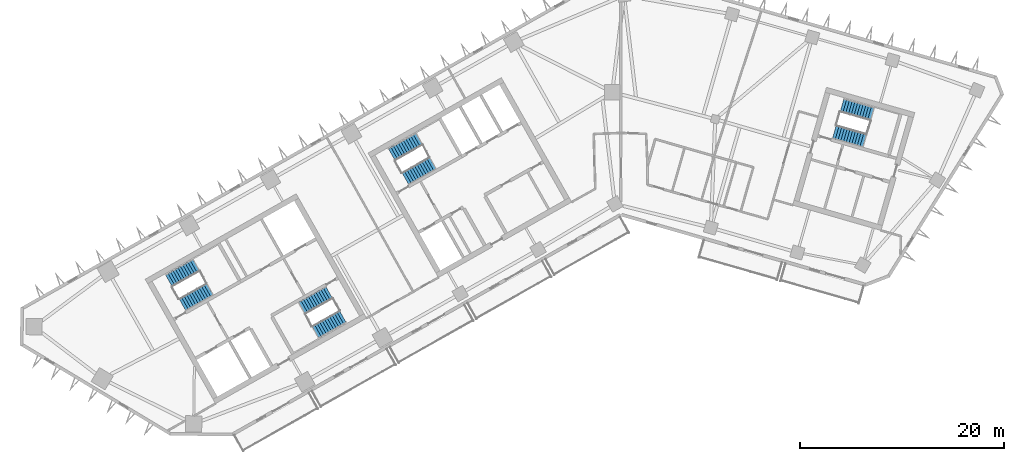
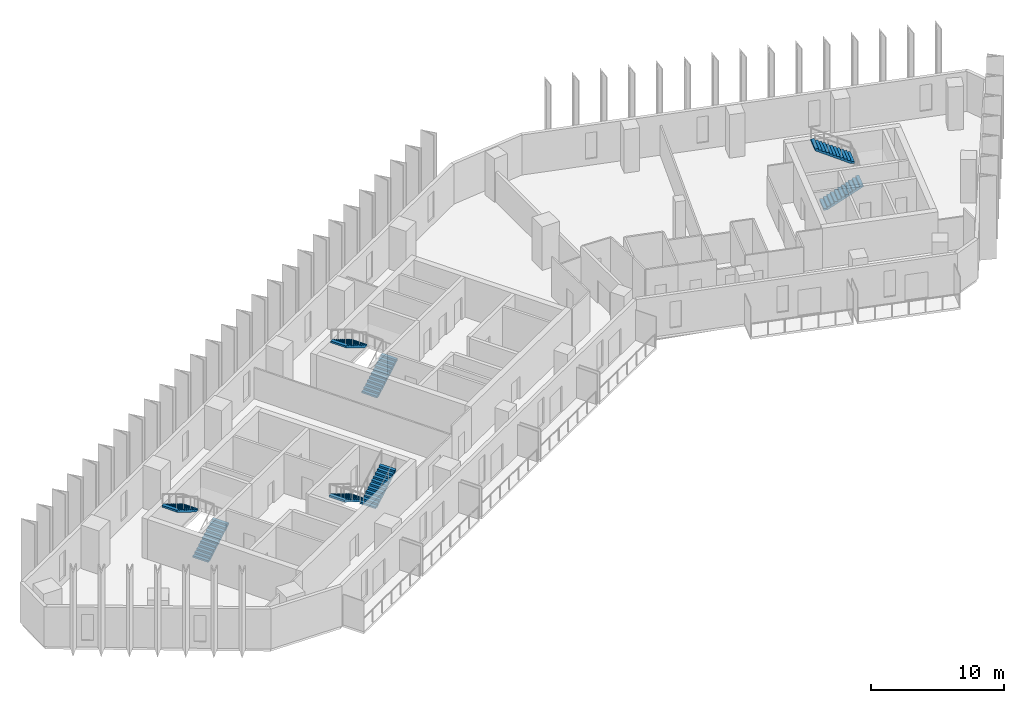
# One storey, part 7 of 10: 8 stair flights, 4 elements without a shape of their own.
"""IFC4 building model written with IfcOpenShell, lengths in metres."""

from ifc_helpers import new_model, si_unit, direction, frame, origin, place, context, subcontext, project, spatial, polyline, outline, extrude, material, type_object, element, aggregate, save


model = new_model("IFC4")

# Units and contexts
model_context = context("Model", 3, precision=1e-05, world=origin(), true_north=direction((0.0, 1.0)))
body_context = subcontext(model_context, "Body", "Model", "MODEL_VIEW")
ifc_project = project(units=[si_unit("LENGTHUNIT", "METRE"), si_unit("AREAUNIT", "SQUARE_METRE"), si_unit("VOLUMEUNIT", "CUBIC_METRE"), si_unit("PLANEANGLEUNIT", "RADIAN"), si_unit("MASSUNIT", "GRAM", prefix="KILO")], contexts=[model_context])

# Site, building, storey
site_placement = place(None, origin())
site = spatial("IfcSite", under=ifc_project, at=site_placement, CompositionType="ELEMENT")
building_placement = place(site_placement, origin())
building = spatial("IfcBuilding", under=site, at=building_placement, Name="Binnacle Exchange Tower", CompositionType="ELEMENT")
storey_placement = place(building_placement, frame((0.0, 0.0, 178.89990234375)))
storey = spatial("IfcBuildingStorey", under=building, at=storey_placement, Name="L38", CompositionType="ELEMENT", Elevation=178.89990234375)

# Stair, stair flights
ifc_material = material(Name="Concrete C35/45", Category="concrete")
stair_type = type_object("IfcStairType", Name="STAIR 24 RISERS 167", PredefinedType="HALF_TURN_STAIR", material=ifc_material)
stair_1_placement = place(storey_placement, origin())
stair_1 = element("IfcStair", 1, at=stair_1_placement, inside=storey, type_object=stair_type, Name="L38 Escape stair A1", PredefinedType="HALF_TURN_STAIR")
stair_flight_type = type_object("IfcStairFlightType", Name="STAIR FLIGHT 167X280", PredefinedType="STRAIGHT", material=ifc_material)
stair_flight_1_placement = place(storey_placement, frame((-42.9541015625, 39.17333984375, 0.0), z_axis=(0.0, 0.0, 1.0), x_axis=(0.870355584213, 0.492423757581, 0.0)))
stair_flight_1 = element("IfcStairFlight", 2, at=stair_flight_1_placement, type_object=stair_flight_type, Name="STA1 flight 1", NumberOfRisers=12, NumberOfTreads=11, PredefinedType="STRAIGHT", RiserHeight=0.166666667, TreadLength=0.28, context=body_context, shape_type="SweptSolid", body=[
    extrude(outline(polyline([(0.0, 0.0), (0.0, 0.166748046875), (0.280029296875, 0.166748046875), (0.280029296875, 0.333251953125), (0.56005859375, 0.333251953125), (0.56005859375, 0.5), (0.840087890625, 0.5), (0.840087890625, 0.666748046875), (1.1201171875, 0.666748046875), (1.1201171875, 0.833251953125), (1.39990234375, 0.833251953125), (1.39990234375, 1.0), (1.679931640625, 1.0), (1.679931640625, 1.166748046875), (1.9599609375, 1.166748046875), (1.9599609375, 1.333251953125), (2.239990234375, 1.333251953125), (2.239990234375, 1.5), (2.52001953125, 1.5), (2.52001953125, 1.666748046875), (2.800048828125, 1.666748046875), (2.800048828125, 1.833251953125), (3.080078125, 1.833251953125), (3.080078125, 2.0), (3.080078125, 1.658935546875), (0.29296875, 0.0), (0.0, 0.0)])), frame((0.0, 0.675048828125, 0.0), z_axis=(0.0, -1.0, 0.0), x_axis=(1.0, 0.0, 0.0)), (0.0, 0.0, 1.0), 1.35009765625),
])
stair_flight_2_placement = place(storey_placement, frame((-41.602783203125, 43.0400390625, 2.0), z_axis=(0.0, 0.0, 1.0), x_axis=(-0.870355584213, -0.492423757581, 0.0)))
stair_flight_2 = element("IfcStairFlight", 3, at=stair_flight_2_placement, type_object=stair_flight_type, Name="STA1 flight 2", NumberOfRisers=12, NumberOfTreads=11, PredefinedType="STRAIGHT", RiserHeight=0.166666667, TreadLength=0.28, context=body_context, shape_type="SweptSolid", body=[
    extrude(outline(polyline([(0.0, 0.0), (0.0, 0.166748046875), (0.280029296875, 0.166748046875), (0.280029296875, 0.333251953125), (0.56005859375, 0.333251953125), (0.56005859375, 0.5), (0.840087890625, 0.5), (0.840087890625, 0.666748046875), (1.1201171875, 0.666748046875), (1.1201171875, 0.833251953125), (1.39990234375, 0.833251953125), (1.39990234375, 1.0), (1.679931640625, 1.0), (1.679931640625, 1.166748046875), (1.9599609375, 1.166748046875), (1.9599609375, 1.333251953125), (2.239990234375, 1.333251953125), (2.239990234375, 1.5), (2.52001953125, 1.5), (2.52001953125, 1.666748046875), (2.800048828125, 1.666748046875), (2.800048828125, 1.833251953125), (3.080078125, 1.833251953125), (3.080078125, 2.0), (3.080078125, 1.658935546875), (0.29296875, 0.0), (0.0, 0.0)])), frame((0.0, 0.675048828125, 0.0), z_axis=(0.0, -1.0, 0.0), x_axis=(1.0, 0.0, 0.0)), (0.0, 0.0, 1.0), 1.35009765625),
])
aggregate(stair_1, [stair_flight_1, stair_flight_2])

stair_2_placement = place(storey_placement, origin())
stair_2 = element("IfcStair", 4, at=stair_2_placement, inside=storey, type_object=stair_type, Name="L38 Escape stair A2", PredefinedType="HALF_TURN_STAIR")
stair_flight_3_placement = place(storey_placement, frame((-28.5732421875, 40.3583984375, 0.0), z_axis=(0.0, 0.0, 1.0), x_axis=(-0.870355584213, -0.492423757581, 0.0)))
stair_flight_3 = element("IfcStairFlight", 5, at=stair_flight_3_placement, type_object=stair_flight_type, Name="STA2 flight 1", NumberOfRisers=12, NumberOfTreads=11, PredefinedType="STRAIGHT", RiserHeight=0.166666667, TreadLength=0.28, context=body_context, shape_type="SweptSolid", body=[
    extrude(outline(polyline([(0.0, 0.0), (0.0, 0.166748046875), (0.280029296875, 0.166748046875), (0.280029296875, 0.333251953125), (0.56005859375, 0.333251953125), (0.56005859375, 0.5), (0.840087890625, 0.5), (0.840087890625, 0.666748046875), (1.1201171875, 0.666748046875), (1.1201171875, 0.833251953125), (1.39990234375, 0.833251953125), (1.39990234375, 1.0), (1.679931640625, 1.0), (1.679931640625, 1.166748046875), (1.9599609375, 1.166748046875), (1.9599609375, 1.333251953125), (2.239990234375, 1.333251953125), (2.239990234375, 1.5), (2.52001953125, 1.5), (2.52001953125, 1.666748046875), (2.800048828125, 1.666748046875), (2.800048828125, 1.833251953125), (3.080078125, 1.833251953125), (3.080078125, 2.0), (3.080078125, 1.658935546875), (0.29296875, 0.0), (0.0, 0.0)])), frame((0.0, 0.675048828125, 0.0), z_axis=(0.0, -1.0, 0.0), x_axis=(1.0, 0.0, 0.0)), (0.0, 0.0, 1.0), 1.35009765625),
])
stair_flight_4_placement = place(storey_placement, frame((-29.92431640625, 36.49169921875, 2.0), z_axis=(0.0, 0.0, 1.0), x_axis=(0.870355584213, 0.492423757581, 0.0)))
stair_flight_4 = element("IfcStairFlight", 6, at=stair_flight_4_placement, type_object=stair_flight_type, Name="STA2 flight 2", NumberOfRisers=12, NumberOfTreads=11, PredefinedType="STRAIGHT", RiserHeight=0.166666667, TreadLength=0.28, context=body_context, shape_type="SweptSolid", body=[
    extrude(outline(polyline([(0.0, 0.0), (0.0, 0.166748046875), (0.280029296875, 0.166748046875), (0.280029296875, 0.333251953125), (0.56005859375, 0.333251953125), (0.56005859375, 0.5), (0.840087890625, 0.5), (0.840087890625, 0.666748046875), (1.1201171875, 0.666748046875), (1.1201171875, 0.833251953125), (1.39990234375, 0.833251953125), (1.39990234375, 1.0), (1.679931640625, 1.0), (1.679931640625, 1.166748046875), (1.9599609375, 1.166748046875), (1.9599609375, 1.333251953125), (2.239990234375, 1.333251953125), (2.239990234375, 1.5), (2.52001953125, 1.5), (2.52001953125, 1.666748046875), (2.800048828125, 1.666748046875), (2.800048828125, 1.833251953125), (3.080078125, 1.833251953125), (3.080078125, 2.0), (3.080078125, 1.658935546875), (0.29296875, 0.0), (0.0, 0.0)])), frame((0.0, 0.675048828125, 0.0), z_axis=(0.0, -1.0, 0.0), x_axis=(1.0, 0.0, 0.0)), (0.0, 0.0, 1.0), 1.35009765625),
])
aggregate(stair_2, [stair_flight_3, stair_flight_4])

stair_3_placement = place(storey_placement, origin())
stair_3 = element("IfcStair", 7, at=stair_3_placement, inside=storey, type_object=stair_type, Name="L38 Escape stair C1", PredefinedType="HALF_TURN_STAIR")
stair_flight_5_placement = place(storey_placement, frame((-21.115966796875, 51.528564453125, 0.0), z_axis=(0.0, 0.0, 1.0), x_axis=(0.870355584213, 0.492423757581, 0.0)))
stair_flight_5 = element("IfcStairFlight", 8, at=stair_flight_5_placement, type_object=stair_flight_type, Name="STC1 flight 1", NumberOfRisers=12, NumberOfTreads=11, PredefinedType="STRAIGHT", RiserHeight=0.166666667, TreadLength=0.28, context=body_context, shape_type="SweptSolid", body=[
    extrude(outline(polyline([(0.0, 0.0), (0.0, 0.166748046875), (0.280029296875, 0.166748046875), (0.280029296875, 0.333251953125), (0.56005859375, 0.333251953125), (0.56005859375, 0.5), (0.840087890625, 0.5), (0.840087890625, 0.666748046875), (1.1201171875, 0.666748046875), (1.1201171875, 0.833251953125), (1.39990234375, 0.833251953125), (1.39990234375, 1.0), (1.679931640625, 1.0), (1.679931640625, 1.166748046875), (1.9599609375, 1.166748046875), (1.9599609375, 1.333251953125), (2.239990234375, 1.333251953125), (2.239990234375, 1.5), (2.52001953125, 1.5), (2.52001953125, 1.666748046875), (2.800048828125, 1.666748046875), (2.800048828125, 1.833251953125), (3.080078125, 1.833251953125), (3.080078125, 2.0), (3.080078125, 1.658935546875), (0.29296875, 0.0), (0.0, 0.0)])), frame((0.0, 0.675048828125, 0.0), z_axis=(0.0, -1.0, 0.0), x_axis=(1.0, 0.0, 0.0)), (0.0, 0.0, 1.0), 1.35009765625),
])
stair_flight_6_placement = place(storey_placement, frame((-19.764892578125, 55.395263671875, 2.0), z_axis=(0.0, 0.0, 1.0), x_axis=(-0.870355584213, -0.492423757581, 0.0)))
stair_flight_6 = element("IfcStairFlight", 9, at=stair_flight_6_placement, type_object=stair_flight_type, Name="STC1 flight 2", NumberOfRisers=12, NumberOfTreads=11, PredefinedType="STRAIGHT", RiserHeight=0.166666667, TreadLength=0.28, context=body_context, shape_type="SweptSolid", body=[
    extrude(outline(polyline([(0.0, 0.0), (0.0, 0.166748046875), (0.280029296875, 0.166748046875), (0.280029296875, 0.333251953125), (0.56005859375, 0.333251953125), (0.56005859375, 0.5), (0.840087890625, 0.5), (0.840087890625, 0.666748046875), (1.1201171875, 0.666748046875), (1.1201171875, 0.833251953125), (1.39990234375, 0.833251953125), (1.39990234375, 1.0), (1.679931640625, 1.0), (1.679931640625, 1.166748046875), (1.9599609375, 1.166748046875), (1.9599609375, 1.333251953125), (2.239990234375, 1.333251953125), (2.239990234375, 1.5), (2.52001953125, 1.5), (2.52001953125, 1.666748046875), (2.800048828125, 1.666748046875), (2.800048828125, 1.833251953125), (3.080078125, 1.833251953125), (3.080078125, 2.0), (3.080078125, 1.658935546875), (0.29296875, 0.0), (0.0, 0.0)])), frame((0.0, 0.675048828125, 0.0), z_axis=(0.0, -1.0, 0.0), x_axis=(1.0, 0.0, 0.0)), (0.0, 0.0, 1.0), 1.35009765625),
])
aggregate(stair_3, [stair_flight_5, stair_flight_6])

stair_4_placement = place(storey_placement, origin())
stair_4 = element("IfcStair", 10, at=stair_4_placement, inside=storey, type_object=stair_type, Name="L38 Escape stair D1", PredefinedType="HALF_TURN_STAIR")
stair_flight_7_placement = place(storey_placement, frame((20.914306640625, 56.109619140625, 0.0), z_axis=(0.0, 0.0, 1.0), x_axis=(0.961261811397, -0.275636953165, 0.0)))
stair_flight_7 = element("IfcStairFlight", 11, at=stair_flight_7_placement, type_object=stair_flight_type, Name="STD1 flight 1", NumberOfRisers=12, NumberOfTreads=11, PredefinedType="STRAIGHT", RiserHeight=0.166666667, TreadLength=0.28, context=body_context, shape_type="SweptSolid", body=[
    extrude(outline(polyline([(0.0, 0.0), (0.0, 0.166748046875), (0.280029296875, 0.166748046875), (0.280029296875, 0.333251953125), (0.56005859375, 0.333251953125), (0.56005859375, 0.5), (0.840087890625, 0.5), (0.840087890625, 0.666748046875), (1.1201171875, 0.666748046875), (1.1201171875, 0.833251953125), (1.39990234375, 0.833251953125), (1.39990234375, 1.0), (1.679931640625, 1.0), (1.679931640625, 1.166748046875), (1.9599609375, 1.166748046875), (1.9599609375, 1.333251953125), (2.239990234375, 1.333251953125), (2.239990234375, 1.5), (2.52001953125, 1.5), (2.52001953125, 1.666748046875), (2.800048828125, 1.666748046875), (2.800048828125, 1.833251953125), (3.080078125, 1.833251953125), (3.080078125, 2.0), (3.080078125, 1.658935546875), (0.29296875, 0.0), (0.0, 0.0)])), frame((0.0, 0.675048828125, 0.0), z_axis=(0.0, -1.0, 0.0), x_axis=(1.0, 0.0, 0.0)), (0.0, 0.0, 1.0), 1.35009765625),
])
stair_flight_8_placement = place(storey_placement, frame((24.619384765625, 57.85595703125, 2.0), z_axis=(0.0, 0.0, 1.0), x_axis=(-0.961261811397, 0.275636953165, 0.0)))
stair_flight_8 = element("IfcStairFlight", 12, at=stair_flight_8_placement, type_object=stair_flight_type, Name="STD1 flight 2", NumberOfRisers=12, NumberOfTreads=11, PredefinedType="STRAIGHT", RiserHeight=0.166666667, TreadLength=0.28, context=body_context, shape_type="SweptSolid", body=[
    extrude(outline(polyline([(0.0, 0.0), (0.0, 0.166748046875), (0.280029296875, 0.166748046875), (0.280029296875, 0.333251953125), (0.56005859375, 0.333251953125), (0.56005859375, 0.5), (0.840087890625, 0.5), (0.840087890625, 0.666748046875), (1.1201171875, 0.666748046875), (1.1201171875, 0.833251953125), (1.39990234375, 0.833251953125), (1.39990234375, 1.0), (1.679931640625, 1.0), (1.679931640625, 1.166748046875), (1.9599609375, 1.166748046875), (1.9599609375, 1.333251953125), (2.239990234375, 1.333251953125), (2.239990234375, 1.5), (2.52001953125, 1.5), (2.52001953125, 1.666748046875), (2.800048828125, 1.666748046875), (2.800048828125, 1.833251953125), (3.080078125, 1.833251953125), (3.080078125, 2.0), (3.080078125, 1.658935546875), (0.29296875, 0.0), (0.0, 0.0)])), frame((0.0, 0.675048828125, 0.0), z_axis=(0.0, -1.0, 0.0), x_axis=(1.0, 0.0, 0.0)), (0.0, 0.0, 1.0), 1.35009765625),
])
aggregate(stair_4, [stair_flight_7, stair_flight_8])

save(model, "model.ifc")
